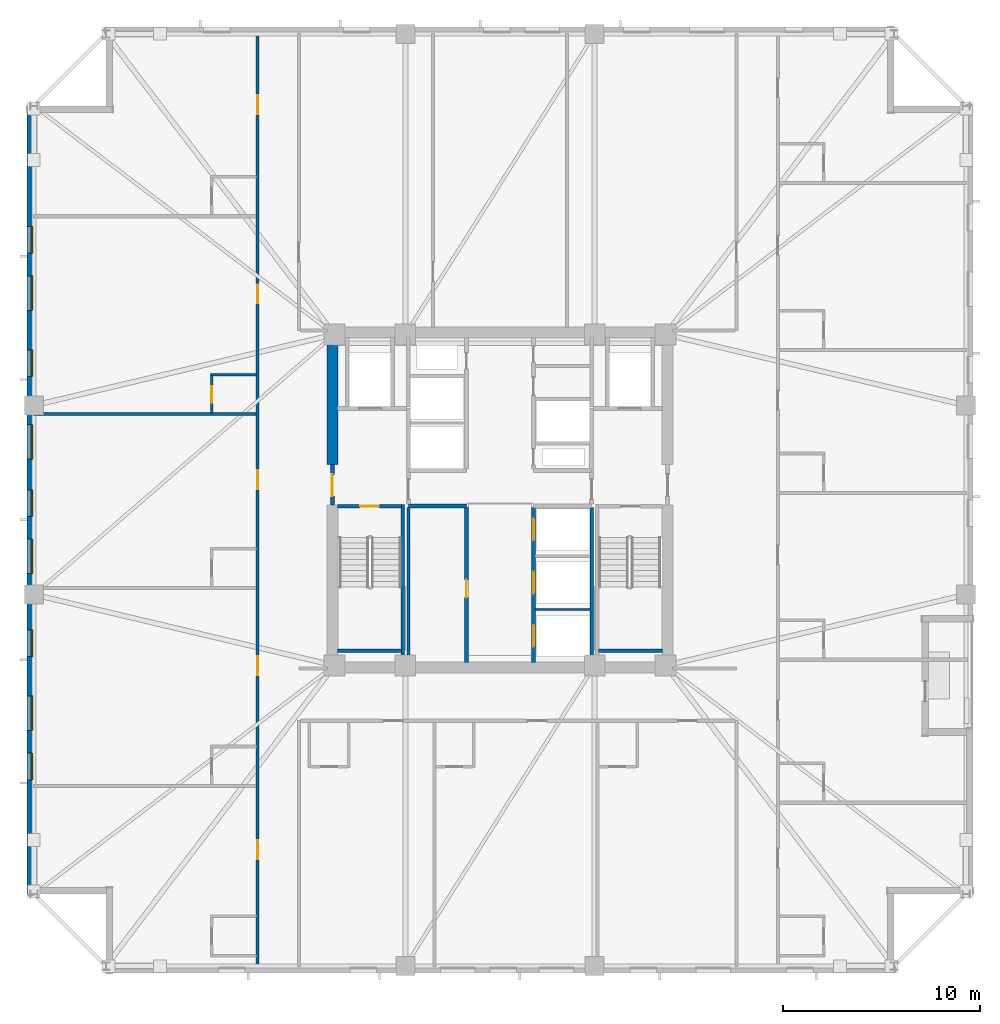
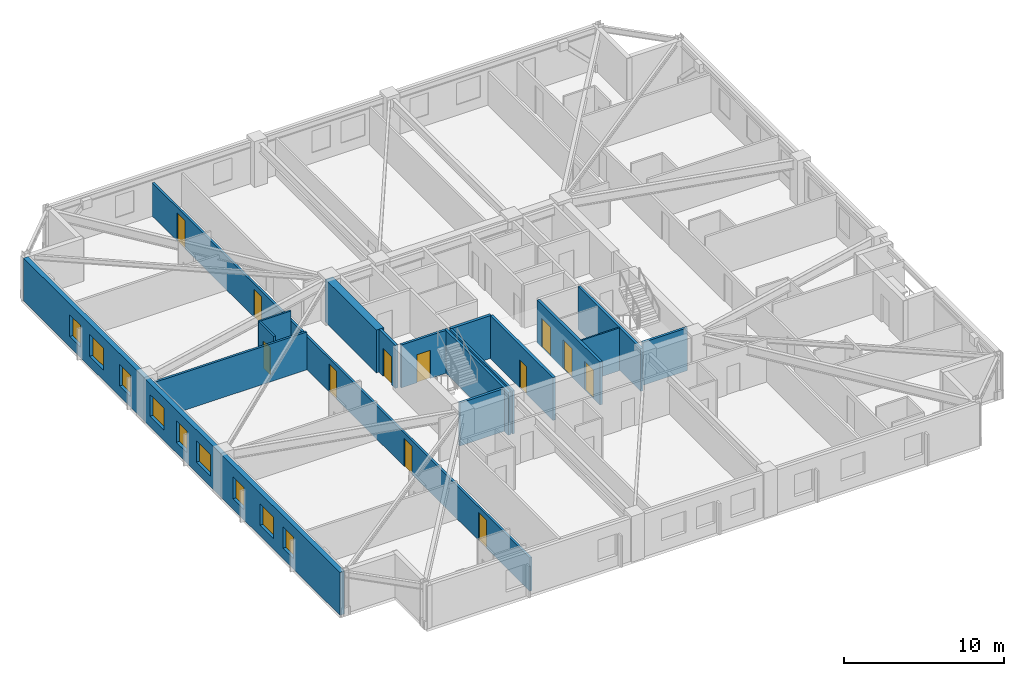
# One storey, part 3 of 11: 17 walls, 12 doors, 9 windows, 21 openings.
"""IFC4 building model written with IfcOpenShell, lengths in metres."""

from ifc_helpers import new_model, si_unit, direction, frame, frame_2d, origin, place, context, subcontext, project, spatial, rectangle, extrude, material, layer, layer_set, type_object, element, fill, save


model = new_model("IFC4")

# Units and contexts
model_context = context("Model", 3, precision=1e-05, world=origin(), true_north=direction((0.0, 1.0)))
body_context = subcontext(model_context, "Body", "Model", "MODEL_VIEW")
ifc_project = project(units=[si_unit("LENGTHUNIT", "METRE"), si_unit("AREAUNIT", "SQUARE_METRE"), si_unit("VOLUMEUNIT", "CUBIC_METRE"), si_unit("PLANEANGLEUNIT", "RADIAN"), si_unit("MASSUNIT", "GRAM", prefix="KILO")], contexts=[model_context])

# Site, building, storey
site_placement = place(None, origin())
site = spatial("IfcSite", under=ifc_project, at=site_placement, CompositionType="ELEMENT")
building_placement = place(site_placement, origin())
building = spatial("IfcBuilding", under=site, at=building_placement, Name="Cairnveth Concourse Tower", CompositionType="ELEMENT")
storey_placement = place(building_placement, frame((0.0, 0.0, 176.0)))
storey = spatial("IfcBuildingStorey", under=building, at=storey_placement, Name="L48", CompositionType="ELEMENT", Elevation=176.0)

# Wall
ifc_material_1 = material(Name="Gypsum Plasterboard Partition", Category="gypsum")
ifc_layer_1 = layer(ifc_material_1, 0.159912109375)
ifc_layer_set_1 = layer_set([ifc_layer_1], Name="Gypsum Plasterboard Partition")
wall_type_1 = type_object("IfcWallType", Name="ACOUSTIC PARTY WALL 180", PredefinedType="PARTITIONING", material=ifc_layer_set_1)
wall_1_placement = place(storey_placement, frame((47.35009765625, 30.760009765625, 0.0), z_axis=(0.0, 0.0, 1.0), x_axis=(0.0, 1.0, 0.0)))
element("IfcWall", 1, at=wall_1_placement, inside=storey, type_object=wall_type_1, Name="Interior Wall IW-L48-025", PredefinedType="PARTITIONING", context=body_context, shape_type="SweptSolid", body=[
    extrude(rectangle(XDim=7.85498046875, YDim=0.159912109375, at=frame_2d((3.927490234375, 0.0))), origin(), (0.0, 0.0, 1.0), 3.280029296875),
])

# Wall, openings, doors
wall_2_placement = place(storey_placement, frame((39.699951171875, 15.324951171875, 0.0), z_axis=(0.0, 0.0, 1.0), x_axis=(0.0, 1.0, 0.0)))
wall_2 = element("IfcWall", 2, at=wall_2_placement, inside=storey, type_object=wall_type_1, Name="Interior Wall IW-L48-036", PredefinedType="PARTITIONING", context=body_context, shape_type="SweptSolid", body=[
    extrude(rectangle(XDim=47.35009765625, YDim=0.159912109375, at=frame_2d((23.675048828125, 0.0))), origin(), (0.0, 0.0, 1.0), 2.554931640625),
])
opening_1_placement = place(wall_2_placement, frame((5.451416015625, 0.0, 0.0)))
opening_1 = element("IfcOpeningElement", 3, at=opening_1_placement, cuts=wall_2, Name="Opening ID09", PredefinedType="OPENING", context=body_context, shape_type="SweptSolid", body=[
    extrude(rectangle(XDim=0.9599609375, YDim=2.14990234375, at=frame_2d((0.47998046875, 1.074951171875))), frame((0.0, 0.08984375, 0.0), z_axis=(0.0, -1.0, 0.0), x_axis=(1.0, 0.0, 0.0)), (0.0, 0.0, 1.0), 0.179931640625),
])
opening_2_placement = place(wall_2_placement, frame((14.78271484375, 0.0, 0.0)))
opening_2 = element("IfcOpeningElement", 4, at=opening_2_placement, cuts=wall_2, Name="Opening ID09", PredefinedType="OPENING", context=body_context, shape_type="SweptSolid", body=[
    extrude(rectangle(XDim=0.9599609375, YDim=2.14990234375, at=frame_2d((0.47998046875, 1.074951171875))), frame((0.0, 0.08984375, 0.0), z_axis=(0.0, -1.0, 0.0), x_axis=(1.0, 0.0, 0.0)), (0.0, 0.0, 1.0), 0.179931640625),
])
opening_3_placement = place(wall_2_placement, frame((24.21484375, 0.0, 0.0)))
opening_3 = element("IfcOpeningElement", 5, at=opening_3_placement, cuts=wall_2, Name="Opening ID09", PredefinedType="OPENING", context=body_context, shape_type="SweptSolid", body=[
    extrude(rectangle(XDim=0.9599609375, YDim=2.14990234375, at=frame_2d((0.47998046875, 1.074951171875))), frame((0.0, 0.08984375, 0.0), z_axis=(0.0, -1.0, 0.0), x_axis=(1.0, 0.0, 0.0)), (0.0, 0.0, 1.0), 0.179931640625),
])
opening_4_placement = place(wall_2_placement, frame((33.646728515625, 0.0, 0.0)))
opening_4 = element("IfcOpeningElement", 6, at=opening_4_placement, cuts=wall_2, Name="Opening ID09", PredefinedType="OPENING", context=body_context, shape_type="SweptSolid", body=[
    extrude(rectangle(XDim=0.9599609375, YDim=2.14990234375, at=frame_2d((0.47998046875, 1.074951171875))), frame((0.0, 0.08984375, 0.0), z_axis=(0.0, -1.0, 0.0), x_axis=(1.0, 0.0, 0.0)), (0.0, 0.0, 1.0), 0.179931640625),
])
opening_5_placement = place(wall_2_placement, frame((43.25830078125, 0.0, 0.0)))
opening_5 = element("IfcOpeningElement", 7, at=opening_5_placement, cuts=wall_2, Name="Opening ID09", PredefinedType="OPENING", context=body_context, shape_type="SweptSolid", body=[
    extrude(rectangle(XDim=0.9599609375, YDim=2.14990234375, at=frame_2d((0.47998046875, 1.074951171875))), frame((0.0, 0.08984375, 0.0), z_axis=(0.0, -1.0, 0.0), x_axis=(1.0, 0.0, 0.0)), (0.0, 0.0, 1.0), 0.179931640625),
])
ifc_material_2 = material(Name="Solid Core Hardwood Timber Leaf", Category="wood")
door_type_1 = type_object("IfcDoorType", Name="HOTEL ENTRANCE DOOR 960X2150", OperationType="NOTDEFINED", PredefinedType="DOOR", material=ifc_material_2)
door_1_placement = place(opening_1_placement, origin())
door_1 = element("IfcDoor", 8, at=door_1_placement, inside=storey, type_object=door_type_1, Name="Hotel Room Door L48-W1", OperationType="SINGLE_SWING_LEFT", OverallHeight=2.14990234375, OverallWidth=0.9599609375, PredefinedType="DOOR", context=body_context, shape_type="SweptSolid", body=[
    extrude(rectangle(XDim=0.9599609375, YDim=2.14990234375, at=frame_2d((0.47998046875, 1.074951171875))), frame((0.0, 0.02490234375, 0.0), z_axis=(0.0, -1.0, 0.0), x_axis=(1.0, 0.0, 0.0)), (0.0, 0.0, 1.0), 0.050048828125),
])
fill(opening_1, door_1)
door_2_placement = place(opening_2_placement, origin())
door_2 = element("IfcDoor", 9, at=door_2_placement, inside=storey, type_object=door_type_1, Name="Hotel Room Door L48-W2", OperationType="SINGLE_SWING_LEFT", OverallHeight=2.14990234375, OverallWidth=0.9599609375, PredefinedType="DOOR", context=body_context, shape_type="SweptSolid", body=[
    extrude(rectangle(XDim=0.9599609375, YDim=2.14990234375, at=frame_2d((0.47998046875, 1.074951171875))), frame((0.0, 0.02490234375, 0.0), z_axis=(0.0, -1.0, 0.0), x_axis=(1.0, 0.0, 0.0)), (0.0, 0.0, 1.0), 0.050048828125),
])
fill(opening_2, door_2)
door_3_placement = place(opening_3_placement, origin())
door_3 = element("IfcDoor", 10, at=door_3_placement, inside=storey, type_object=door_type_1, Name="Hotel Room Door L48-W3", OperationType="SINGLE_SWING_LEFT", OverallHeight=2.14990234375, OverallWidth=0.9599609375, PredefinedType="DOOR", context=body_context, shape_type="SweptSolid", body=[
    extrude(rectangle(XDim=0.9599609375, YDim=2.14990234375, at=frame_2d((0.47998046875, 1.074951171875))), frame((0.0, 0.02490234375, 0.0), z_axis=(0.0, -1.0, 0.0), x_axis=(1.0, 0.0, 0.0)), (0.0, 0.0, 1.0), 0.050048828125),
])
fill(opening_3, door_3)
door_4_placement = place(opening_4_placement, origin())
door_4 = element("IfcDoor", 11, at=door_4_placement, inside=storey, type_object=door_type_1, Name="Hotel Room Door L48-W4", OperationType="SINGLE_SWING_LEFT", OverallHeight=2.14990234375, OverallWidth=0.9599609375, PredefinedType="DOOR", context=body_context, shape_type="SweptSolid", body=[
    extrude(rectangle(XDim=0.9599609375, YDim=2.14990234375, at=frame_2d((0.47998046875, 1.074951171875))), frame((0.0, 0.02490234375, 0.0), z_axis=(0.0, -1.0, 0.0), x_axis=(1.0, 0.0, 0.0)), (0.0, 0.0, 1.0), 0.050048828125),
])
fill(opening_4, door_4)
door_5_placement = place(opening_5_placement, origin())
door_5 = element("IfcDoor", 12, at=door_5_placement, inside=storey, type_object=door_type_1, Name="Hotel Room Door L48-W5", OperationType="SINGLE_SWING_LEFT", OverallHeight=2.14990234375, OverallWidth=0.9599609375, PredefinedType="DOOR", context=body_context, shape_type="SweptSolid", body=[
    extrude(rectangle(XDim=0.9599609375, YDim=2.14990234375, at=frame_2d((0.47998046875, 1.074951171875))), frame((0.0, 0.02490234375, 0.0), z_axis=(0.0, -1.0, 0.0), x_axis=(1.0, 0.0, 0.0)), (0.0, 0.0, 1.0), 0.050048828125),
])
fill(opening_5, door_5)

# Walls
wall_3_placement = place(storey_placement, frame((28.324951171875, 43.35693359375, 0.0), z_axis=(0.0, 0.0, 1.0), x_axis=(1.0, 0.0, 0.0)))
element("IfcWall", 13, at=wall_3_placement, inside=storey, type_object=wall_type_1, Name="Interior Wall IW-L48-067", PredefinedType="PARTITIONING", context=body_context, shape_type="SweptSolid", body=[
    extrude(rectangle(XDim=11.295166015625, YDim=0.159912109375, at=frame_2d((5.6474609375, 0.0))), origin(), (0.0, 0.0, 1.0), 2.89599609375),
])
ifc_material_3 = material(Name="Concrete N80 (80 MPa)", Category="concrete")
ifc_layer_2 = layer(ifc_material_3, 0.550048828125)
ifc_layer_set_2 = layer_set([ifc_layer_2], Name="Concrete N80 (80 MPa)")
wall_type_2 = type_object("IfcWallType", Name="CORE SHEAR WALL 550", PredefinedType="SHEAR", material=ifc_layer_set_2)
wall_4_placement = place(storey_placement, frame((43.5, 40.800048828125, 0.0), z_axis=(0.0, 0.0, 1.0), x_axis=(0.0, 1.0, 0.0)))
element("IfcWall", 14, at=wall_4_placement, inside=storey, type_object=wall_type_2, Name="Core West Shear Wall N L48", PredefinedType="SHEAR", context=body_context, shape_type="SweptSolid", body=[
    extrude(rectangle(XDim=6.43505859375, YDim=0.550048828125, at=frame_2d((3.217529296875, 0.0))), origin(), (0.0, 0.0, 1.0), 3.280029296875),
])
ifc_material_4 = material(Name="Concrete N50 (50 MPa)", Category="concrete")
ifc_layer_3 = layer(ifc_material_4, 0.179931640625)
ifc_layer_set_3 = layer_set([ifc_layer_3], Name="Concrete N50 (50 MPa)")
wall_type_3 = type_object("IfcWallType", Name="FIRE SHAFT WALL 180", PredefinedType="SOLIDWALL", material=ifc_layer_set_3)
wall_5_placement = place(storey_placement, frame((56.64990234375, 30.760009765625, 0.0), z_axis=(0.0, 0.0, 1.0), x_axis=(0.0, 1.0, 0.0)))
element("IfcWall", 15, at=wall_5_placement, inside=storey, type_object=wall_type_3, Name="Interior Wall IW-L48-026", PredefinedType="SOLIDWALL", context=body_context, shape_type="SweptSolid", body=[
    extrude(rectangle(XDim=7.85498046875, YDim=0.179931640625, at=frame_2d((3.927490234375, 0.0))), origin(), (0.0, 0.0, 1.0), 3.280029296875),
])

# Wall, opening, door
wall_6_placement = place(storey_placement, frame((43.764892578125, 38.68994140625, 0.0), z_axis=(0.0, 0.0, 1.0), x_axis=(1.0, 0.0, 0.0)))
wall_6 = element("IfcWall", 16, at=wall_6_placement, inside=storey, type_object=wall_type_3, Name="Stair ST-1 Shaft Wall NEAR L48", PredefinedType="SOLIDWALL", context=body_context, shape_type="SweptSolid", body=[
    extrude(rectangle(XDim=3.230224609375, YDim=0.179931640625, at=frame_2d((1.615234375, 0.0))), origin(), (0.0, 0.0, 1.0), 3.280029296875),
])
opening_6_placement = place(wall_6_placement, frame((1.139892578125, 0.0, 0.0)))
opening_6 = element("IfcOpeningElement", 17, at=opening_6_placement, cuts=wall_6, Name="Opening ID12", PredefinedType="OPENING", context=body_context, shape_type="SweptSolid", body=[
    extrude(rectangle(XDim=0.949951171875, YDim=2.14990234375, at=frame_2d((0.47509765625, 1.074951171875))), frame((0.0, 0.099853515625, 0.0), z_axis=(0.0, -1.0, 0.0), x_axis=(1.0, 0.0, 0.0)), (0.0, 0.0, 1.0), 0.199951171875),
])
ifc_material_5 = material(Name="Steel Grade 350", Category="steel")
door_type_2 = type_object("IfcDoorType", Name="FIRE STAIR DOOR 950X2150", OperationType="NOTDEFINED", PredefinedType="DOOR", material=ifc_material_5)
door_6_placement = place(opening_6_placement, origin())
door_6 = element("IfcDoor", 18, at=door_6_placement, inside=storey, type_object=door_type_2, Name="Stair ST-1 Fire Door L48", OperationType="SINGLE_SWING_LEFT", OverallHeight=2.14990234375, OverallWidth=0.949951171875, PredefinedType="DOOR", context=body_context, shape_type="SweptSolid", body=[
    extrude(rectangle(XDim=0.949951171875, YDim=2.14990234375, at=frame_2d((0.47509765625, 1.074951171875))), frame((0.0, 0.02490234375, 0.0), z_axis=(0.0, -1.0, 0.0), x_axis=(1.0, 0.0, 0.0)), (0.0, 0.0, 1.0), 0.050048828125),
])
fill(opening_6, door_6)

# Walls
wall_7_placement = place(storey_placement, frame((43.764892578125, 31.360107421875, 0.0), z_axis=(0.0, 0.0, 1.0), x_axis=(1.0, 0.0, 0.0)))
element("IfcWall", 19, at=wall_7_placement, inside=storey, type_object=wall_type_3, Name="Stair ST-1 Shaft Wall FAR L48", PredefinedType="SOLIDWALL", context=body_context, shape_type="SweptSolid", body=[
    extrude(rectangle(XDim=3.230224609375, YDim=0.179931640625, at=frame_2d((1.615234375, 0.0))), origin(), (0.0, 0.0, 1.0), 3.280029296875),
])
wall_8_placement = place(storey_placement, frame((47.070068359375, 38.780029296875, 0.0), z_axis=(0.0, 0.0, 1.0), x_axis=(0.0, -1.0, 0.0)))
element("IfcWall", 20, at=wall_8_placement, inside=storey, type_object=wall_type_3, Name="Stair ST-1 Shaft Wall RGHT L48", PredefinedType="SOLIDWALL", context=body_context, shape_type="SweptSolid", body=[
    extrude(rectangle(XDim=8.01708984375, YDim=0.179931640625, at=frame_2d((4.008544921875, 0.0))), origin(), (0.0, 0.0, 1.0), 3.280029296875),
])
wall_9_placement = place(storey_placement, frame((57.0048828125, 31.360107421875, 0.0), z_axis=(0.0, 0.0, 1.0), x_axis=(1.0, 0.0, 0.0)))
element("IfcWall", 21, at=wall_9_placement, inside=storey, type_object=wall_type_3, Name="Stair ST-2 Shaft Wall FAR L48", PredefinedType="SOLIDWALL", context=body_context, shape_type="SweptSolid", body=[
    extrude(rectangle(XDim=3.230224609375, YDim=0.179931640625, at=frame_2d((1.615234375, 0.0))), origin(), (0.0, 0.0, 1.0), 3.280029296875),
])
ifc_layer_4 = layer(ifc_material_4, 0.199951171875)
ifc_layer_set_4 = layer_set([ifc_layer_4], Name="Concrete N50 (50 MPa)")
wall_type_4 = type_object("IfcWallType", Name="FIRE SHAFT WALL 200", PredefinedType="SOLIDWALL", material=ifc_layer_set_4)
wall_10_placement = place(storey_placement, frame((47.35009765625, 38.699951171875, 0.0), z_axis=(0.0, 0.0, 1.0), x_axis=(1.0, 0.0, 0.0)))
element("IfcWall", 22, at=wall_10_placement, inside=storey, type_object=wall_type_4, Name="Interior Wall IW-L48-007", PredefinedType="SOLIDWALL", context=body_context, shape_type="SweptSolid", body=[
    extrude(rectangle(XDim=2.949951171875, YDim=0.199951171875, at=frame_2d((1.47509765625, 0.0))), origin(), (0.0, 0.0, 1.0), 3.280029296875),
])

# Wall, opening, door
wall_11_placement = place(storey_placement, frame((50.300048828125, 30.760009765625, 0.0), z_axis=(0.0, 0.0, 1.0), x_axis=(0.0, 1.0, 0.0)))
wall_11 = element("IfcWall", 23, at=wall_11_placement, inside=storey, type_object=wall_type_4, Name="Interior Wall IW-L48-011", PredefinedType="SOLIDWALL", context=body_context, shape_type="SweptSolid", body=[
    extrude(rectangle(XDim=7.85498046875, YDim=0.199951171875, at=frame_2d((3.927490234375, 0.0))), origin(), (0.0, 0.0, 1.0), 3.280029296875),
])
opening_7_placement = place(wall_11_placement, frame((3.2900390625, 0.0, 0.0)))
opening_7 = element("IfcOpeningElement", 24, at=opening_7_placement, cuts=wall_11, Name="Opening ID16", PredefinedType="OPENING", context=body_context, shape_type="SweptSolid", body=[
    extrude(rectangle(XDim=0.89990234375, YDim=2.1201171875, at=frame_2d((0.449951171875, 1.06005859375))), frame((0.0, 0.10986328125, 0.0), z_axis=(0.0, -1.0, 0.0), x_axis=(1.0, 0.0, 0.0)), (0.0, 0.0, 1.0), 0.219970703125),
])
door_type_3 = type_object("IfcDoorType", Name="CORE SERVICE DOOR 900X2100", OperationType="NOTDEFINED", PredefinedType="DOOR", material=ifc_material_5)
door_7_placement = place(opening_7_placement, origin())
door_7 = element("IfcDoor", 25, at=door_7_placement, inside=storey, type_object=door_type_3, Name="Linen Pantry Suite Door L48", OperationType="SINGLE_SWING_LEFT", OverallHeight=2.1201171875, OverallWidth=0.89990234375, PredefinedType="DOOR", context=body_context, shape_type="SweptSolid", body=[
    extrude(rectangle(XDim=0.89990234375, YDim=2.1201171875, at=frame_2d((0.449951171875, 1.06005859375))), frame((0.0, 0.02490234375, 0.0), z_axis=(0.0, -1.0, 0.0), x_axis=(1.0, 0.0, 0.0)), (0.0, 0.0, 1.0), 0.050048828125),
])
fill(opening_7, door_7)

# Wall, openings, doors
wall_12_placement = place(storey_placement, frame((53.699951171875, 30.760009765625, 0.0), z_axis=(0.0, 0.0, 1.0), x_axis=(0.0, 1.0, 0.0)))
wall_12 = element("IfcWall", 26, at=wall_12_placement, inside=storey, type_object=wall_type_4, Name="Interior Wall IW-L48-012", PredefinedType="SOLIDWALL", context=body_context, shape_type="SweptSolid", body=[
    extrude(rectangle(XDim=7.85498046875, YDim=0.199951171875, at=frame_2d((3.927490234375, 0.0))), origin(), (0.0, 0.0, 1.0), 3.280029296875),
])
opening_8_placement = place(wall_12_placement, frame((0.7900390625, 0.0, 0.0)))
opening_8 = element("IfcOpeningElement", 27, at=opening_8_placement, cuts=wall_12, Name="Opening LD-1", PredefinedType="OPENING", context=body_context, shape_type="SweptSolid", body=[
    extrude(rectangle(XDim=1.10009765625, YDim=2.199951171875, at=frame_2d((0.550048828125, 1.10009765625))), frame((0.0, 0.10986328125, 0.0), z_axis=(0.0, -1.0, 0.0), x_axis=(1.0, 0.0, 0.0)), (0.0, 0.0, 1.0), 0.219970703125),
])
opening_9_placement = place(wall_12_placement, frame((3.489990234375, 0.0, 0.0)))
opening_9 = element("IfcOpeningElement", 28, at=opening_9_placement, cuts=wall_12, Name="Opening LD-1", PredefinedType="OPENING", context=body_context, shape_type="SweptSolid", body=[
    extrude(rectangle(XDim=1.10009765625, YDim=2.199951171875, at=frame_2d((0.550048828125, 1.10009765625))), frame((0.0, 0.10986328125, 0.0), z_axis=(0.0, -1.0, 0.0), x_axis=(1.0, 0.0, 0.0)), (0.0, 0.0, 1.0), 0.219970703125),
])
opening_10_placement = place(wall_12_placement, frame((6.18994140625, 0.0, 0.0)))
opening_10 = element("IfcOpeningElement", 29, at=opening_10_placement, cuts=wall_12, Name="Opening LD-1", PredefinedType="OPENING", context=body_context, shape_type="SweptSolid", body=[
    extrude(rectangle(XDim=1.10009765625, YDim=2.199951171875, at=frame_2d((0.550048828125, 1.10009765625))), frame((0.0, 0.10986328125, 0.0), z_axis=(0.0, -1.0, 0.0), x_axis=(1.0, 0.0, 0.0)), (0.0, 0.0, 1.0), 0.219970703125),
])
ifc_material_6 = material(Name="Architectural Bronze Anodised Aluminium 6063-T6", Category="aluminium")
door_type_4 = type_object("IfcDoorType", Name="LIFT LANDING DOOR 1100X2200", OperationType="SLIDING_TO_LEFT", PredefinedType="DOOR", material=ifc_material_6)
door_8_placement = place(opening_8_placement, origin())
door_8 = element("IfcDoor", 30, at=door_8_placement, inside=storey, type_object=door_type_4, Name="Lift PL4 Landing Door L48", OperationType="SLIDING_TO_LEFT", OverallHeight=2.199951171875, OverallWidth=1.10009765625, PredefinedType="DOOR", context=body_context, shape_type="SweptSolid", body=[
    extrude(rectangle(XDim=1.10009765625, YDim=2.199951171875, at=frame_2d((0.550048828125, 1.10009765625))), frame((0.0, 0.02490234375, 0.0), z_axis=(0.0, -1.0, 0.0), x_axis=(1.0, 0.0, 0.0)), (0.0, 0.0, 1.0), 0.050048828125),
])
fill(opening_8, door_8)
door_9_placement = place(opening_9_placement, origin())
door_9 = element("IfcDoor", 31, at=door_9_placement, inside=storey, type_object=door_type_4, Name="Lift PL5 Landing Door L48", OperationType="SLIDING_TO_LEFT", OverallHeight=2.199951171875, OverallWidth=1.10009765625, PredefinedType="DOOR", context=body_context, shape_type="SweptSolid", body=[
    extrude(rectangle(XDim=1.10009765625, YDim=2.199951171875, at=frame_2d((0.550048828125, 1.10009765625))), frame((0.0, 0.02490234375, 0.0), z_axis=(0.0, -1.0, 0.0), x_axis=(1.0, 0.0, 0.0)), (0.0, 0.0, 1.0), 0.050048828125),
])
fill(opening_9, door_9)
door_10_placement = place(opening_10_placement, origin())
door_10 = element("IfcDoor", 32, at=door_10_placement, inside=storey, type_object=door_type_4, Name="Lift PL6 Landing Door L48", OperationType="SLIDING_TO_LEFT", OverallHeight=2.199951171875, OverallWidth=1.10009765625, PredefinedType="DOOR", context=body_context, shape_type="SweptSolid", body=[
    extrude(rectangle(XDim=1.10009765625, YDim=2.199951171875, at=frame_2d((0.550048828125, 1.10009765625))), frame((0.0, 0.02490234375, 0.0), z_axis=(0.0, -1.0, 0.0), x_axis=(1.0, 0.0, 0.0)), (0.0, 0.0, 1.0), 0.050048828125),
])
fill(opening_10, door_10)

# Wall, opening, door
wall_13_placement = place(storey_placement, frame((43.5, 38.75, 0.0), z_axis=(0.0, 0.0, 1.0), x_axis=(0.0, 1.0, 0.0)))
wall_13 = element("IfcWall", 33, at=wall_13_placement, inside=storey, type_object=wall_type_4, Name="Interior Wall IW-L48-015", PredefinedType="SOLIDWALL", context=body_context, shape_type="SweptSolid", body=[
    extrude(rectangle(XDim=2.050048828125, YDim=0.199951171875, at=frame_2d((1.02490234375, 0.0))), origin(), (0.0, 0.0, 1.0), 3.280029296875),
])
opening_11_placement = place(wall_13_placement, frame((0.449951171875, 0.0, 0.0)))
opening_11 = element("IfcOpeningElement", 34, at=opening_11_placement, cuts=wall_13, Name="Opening ID06", PredefinedType="OPENING", context=body_context, shape_type="SweptSolid", body=[
    extrude(rectangle(XDim=1.10009765625, YDim=2.14990234375, at=frame_2d((0.550048828125, 1.074951171875))), frame((0.0, 0.10986328125, 0.0), z_axis=(0.0, -1.0, 0.0), x_axis=(1.0, 0.0, 0.0)), (0.0, 0.0, 1.0), 0.219970703125),
])
door_type_5 = type_object("IfcDoorType", Name="FIRE CORRIDOR DOOR 1100X2150", OperationType="NOTDEFINED", PredefinedType="DOOR", material=ifc_material_5)
door_11_placement = place(opening_11_placement, origin())
door_11 = element("IfcDoor", 35, at=door_11_placement, inside=storey, type_object=door_type_5, Name="West Wing to FF Lobby Door L48", OperationType="SINGLE_SWING_LEFT", OverallHeight=2.14990234375, OverallWidth=1.10009765625, PredefinedType="DOOR", context=body_context, shape_type="SweptSolid", body=[
    extrude(rectangle(XDim=1.10009765625, YDim=2.14990234375, at=frame_2d((0.550048828125, 1.074951171875))), frame((0.0, 0.02490234375, 0.0), z_axis=(0.0, -1.0, 0.0), x_axis=(1.0, 0.0, 0.0)), (0.0, 0.0, 1.0), 0.050048828125),
])
fill(opening_11, door_11)

# Walls
ifc_layer_5 = layer(ifc_material_1, 0.110107421875)
ifc_layer_set_5 = layer_set([ifc_layer_5], Name="Gypsum Plasterboard Partition")
wall_type_5 = type_object("IfcWallType", Name="SHAFT DIVIDER WALL 140", PredefinedType="PARTITIONING", material=ifc_layer_set_5)
wall_14_placement = place(storey_placement, frame((53.784912109375, 33.449951171875, 0.0), z_axis=(0.0, 0.0, 1.0), x_axis=(1.0, 0.0, 0.0)))
element("IfcWall", 36, at=wall_14_placement, inside=storey, type_object=wall_type_5, Name="Interior Wall IW-L48-027", PredefinedType="PARTITIONING", context=body_context, shape_type="SweptSolid", body=[
    extrude(rectangle(XDim=2.7900390625, YDim=0.110107421875, at=frame_2d((1.39501953125, 0.0))), origin(), (0.0, 0.0, 1.0), 3.280029296875),
])
ifc_layer_6 = layer(ifc_material_1, 0.1298828125)
ifc_layer_set_6 = layer_set([ifc_layer_6], Name="Gypsum Plasterboard Partition")
wall_type_6 = type_object("IfcWallType", Name="WET AREA PARTITION 140", PredefinedType="PLUMBINGWALL", material=ifc_layer_set_6)
wall_15_placement = place(storey_placement, frame((37.320068359375, 45.35693359375, 0.0), z_axis=(0.0, 0.0, 1.0), x_axis=(1.0, 0.0, 0.0)))
element("IfcWall", 37, at=wall_15_placement, inside=storey, type_object=wall_type_6, Name="Interior Wall IW-L48-068", PredefinedType="PLUMBINGWALL", context=body_context, shape_type="SweptSolid", body=[
    extrude(rectangle(XDim=2.31494140625, YDim=0.1298828125, at=frame_2d((1.157470703125, 0.0))), origin(), (0.0, 0.0, 1.0), 3.280029296875),
])

# Wall, opening, door
wall_16_placement = place(storey_placement, frame((37.3701171875, 43.421875, 0.0), z_axis=(0.0, 0.0, 1.0), x_axis=(0.0, 1.0, 0.0)))
wall_16 = element("IfcWall", 38, at=wall_16_placement, inside=storey, type_object=wall_type_6, Name="Interior Wall IW-L48-069", PredefinedType="PLUMBINGWALL", context=body_context, shape_type="SweptSolid", body=[
    extrude(rectangle(XDim=1.885009765625, YDim=0.1298828125, at=frame_2d((0.9423828125, 0.0))), origin(), (0.0, 0.0, 1.0), 3.280029296875),
])
opening_12_placement = place(wall_16_placement, frame((0.52490234375, 0.0, 0.0)))
opening_12 = element("IfcOpeningElement", 39, at=opening_12_placement, cuts=wall_16, Name="Opening ID22", PredefinedType="OPENING", context=body_context, shape_type="SweptSolid", body=[
    extrude(rectangle(XDim=0.820068359375, YDim=2.10009765625, at=frame_2d((0.41015625, 1.050048828125))), frame((0.0, 0.074951171875, 0.0), z_axis=(0.0, -1.0, 0.0), x_axis=(1.0, 0.0, 0.0)), (0.0, 0.0, 1.0), 0.14990234375),
])
door_type_6 = type_object("IfcDoorType", Name="INTERIOR WC DOOR 820X2100", OperationType="NOTDEFINED", PredefinedType="DOOR", material=ifc_material_2)
door_12_placement = place(opening_12_placement, origin())
door_12 = element("IfcDoor", 40, at=door_12_placement, inside=storey, type_object=door_type_6, Name="En-Suite Door L48-W4", OperationType="SINGLE_SWING_RIGHT", OverallHeight=2.10009765625, OverallWidth=0.820068359375, PredefinedType="DOOR", context=body_context, shape_type="SweptSolid", body=[
    extrude(rectangle(XDim=0.820068359375, YDim=2.10009765625, at=frame_2d((0.41015625, 1.050048828125))), frame((0.0, 0.02490234375, 0.0), z_axis=(0.0, -1.0, 0.0), x_axis=(1.0, 0.0, 0.0)), (0.0, 0.0, 1.0), 0.050048828125),
])
fill(opening_12, door_12)

# Wall, openings, windows
ifc_material_7 = material(Name="Hawthorn Red-Ochre Fired Clay Brick Masonry", Category="masonry")
ifc_layer_7 = layer(ifc_material_7, 0.340087890625)
ifc_layer_set_7 = layer_set([ifc_layer_7], Name="Hawthorn Red-Ochre Fired Clay Brick Masonry")
wall_type_7 = type_object("IfcWallType", Name="ZONE 2 BRICK PIER SPANDREL WALL 340", PredefinedType="SOLIDWALL", material=ifc_layer_set_7)
wall_17_placement = place(storey_placement, frame((28.169921875, 19.0, 0.0), z_axis=(0.0, 0.0, 1.0), x_axis=(0.0, 1.0, 0.0)))
wall_17 = element("IfcWall", 41, at=wall_17_placement, inside=storey, type_object=wall_type_7, Name="Exterior Wall EW-L48-S06", PredefinedType="SOLIDWALL", context=body_context, shape_type="SweptSolid", body=[
    extrude(rectangle(XDim=39.681884765625, YDim=0.340087890625, at=frame_2d((19.8408203125, 0.0))), origin(), (0.0, 0.0, 1.0), 3.280029296875),
])
opening_13_placement = place(wall_17_placement, frame((5.8017578125, 0.0, 0.800048828125)))
opening_13 = element("IfcOpeningElement", 42, at=opening_13_placement, cuts=wall_17, Name="Opening W02", PredefinedType="OPENING", context=body_context, shape_type="SweptSolid", body=[
    extrude(rectangle(XDim=1.35009765625, YDim=1.659912109375, at=frame_2d((0.675048828125, 0.830078125))), frame((0.0, 0.179931640625, 0.0), z_axis=(0.0, -1.0, 0.0), x_axis=(1.0, 0.0, 0.0)), (0.0, 0.0, 1.0), 0.360107421875),
])
opening_14_placement = place(wall_17_placement, frame((8.305419921875, 0.0, 0.800048828125)))
opening_14 = element("IfcOpeningElement", 43, at=opening_14_placement, cuts=wall_17, Name="Opening W06", PredefinedType="OPENING", context=body_context, shape_type="SweptSolid", body=[
    extrude(rectangle(XDim=1.75, YDim=1.659912109375, at=frame_2d((0.875, 0.830078125))), frame((0.0, 0.179931640625, 0.0), z_axis=(0.0, -1.0, 0.0), x_axis=(1.0, 0.0, 0.0)), (0.0, 0.0, 1.0), 0.360107421875),
])
opening_15_placement = place(wall_17_placement, frame((12.058837890625, 0.0, 0.800048828125)))
opening_15 = element("IfcOpeningElement", 44, at=opening_15_placement, cuts=wall_17, Name="Opening W02", PredefinedType="OPENING", context=body_context, shape_type="SweptSolid", body=[
    extrude(rectangle(XDim=1.35009765625, YDim=1.659912109375, at=frame_2d((0.675048828125, 0.830078125))), frame((0.0, 0.179931640625, 0.0), z_axis=(0.0, -1.0, 0.0), x_axis=(1.0, 0.0, 0.0)), (0.0, 0.0, 1.0), 0.360107421875),
])
opening_16_placement = place(wall_17_placement, frame((16.262451171875, 0.0, 0.800048828125)))
opening_16 = element("IfcOpeningElement", 45, at=opening_16_placement, cuts=wall_17, Name="Opening W06", PredefinedType="OPENING", context=body_context, shape_type="SweptSolid", body=[
    extrude(rectangle(XDim=1.75, YDim=1.659912109375, at=frame_2d((0.875, 0.830078125))), frame((0.0, 0.179931640625, 0.0), z_axis=(0.0, -1.0, 0.0), x_axis=(1.0, 0.0, 0.0)), (0.0, 0.0, 1.0), 0.360107421875),
])
opening_17_placement = place(wall_17_placement, frame((19.166015625, 0.0, 0.800048828125)))
opening_17 = element("IfcOpeningElement", 46, at=opening_17_placement, cuts=wall_17, Name="Opening W02", PredefinedType="OPENING", context=body_context, shape_type="SweptSolid", body=[
    extrude(rectangle(XDim=1.35009765625, YDim=1.659912109375, at=frame_2d((0.675048828125, 0.830078125))), frame((0.0, 0.179931640625, 0.0), z_axis=(0.0, -1.0, 0.0), x_axis=(1.0, 0.0, 0.0)), (0.0, 0.0, 1.0), 0.360107421875),
])
opening_18_placement = place(wall_17_placement, frame((22.069580078125, 0.0, 0.800048828125)))
opening_18 = element("IfcOpeningElement", 47, at=opening_18_placement, cuts=wall_17, Name="Opening W06", PredefinedType="OPENING", context=body_context, shape_type="SweptSolid", body=[
    extrude(rectangle(XDim=1.75, YDim=1.659912109375, at=frame_2d((0.875, 0.830078125))), frame((0.0, 0.179931640625, 0.0), z_axis=(0.0, -1.0, 0.0), x_axis=(1.0, 0.0, 0.0)), (0.0, 0.0, 1.0), 0.360107421875),
])
opening_19_placement = place(wall_17_placement, frame((26.273193359375, 0.0, 0.800048828125)))
opening_19 = element("IfcOpeningElement", 48, at=opening_19_placement, cuts=wall_17, Name="Opening W02", PredefinedType="OPENING", context=body_context, shape_type="SweptSolid", body=[
    extrude(rectangle(XDim=1.35009765625, YDim=1.659912109375, at=frame_2d((0.675048828125, 0.830078125))), frame((0.0, 0.179931640625, 0.0), z_axis=(0.0, -1.0, 0.0), x_axis=(1.0, 0.0, 0.0)), (0.0, 0.0, 1.0), 0.360107421875),
])
opening_20_placement = place(wall_17_placement, frame((29.626708984375, 0.0, 0.800048828125)))
opening_20 = element("IfcOpeningElement", 49, at=opening_20_placement, cuts=wall_17, Name="Opening W06", PredefinedType="OPENING", context=body_context, shape_type="SweptSolid", body=[
    extrude(rectangle(XDim=1.75, YDim=1.659912109375, at=frame_2d((0.875, 0.830078125))), frame((0.0, 0.179931640625, 0.0), z_axis=(0.0, -1.0, 0.0), x_axis=(1.0, 0.0, 0.0)), (0.0, 0.0, 1.0), 0.360107421875),
])
opening_21_placement = place(wall_17_placement, frame((32.5302734375, 0.0, 0.800048828125)))
opening_21 = element("IfcOpeningElement", 50, at=opening_21_placement, cuts=wall_17, Name="Opening W02", PredefinedType="OPENING", context=body_context, shape_type="SweptSolid", body=[
    extrude(rectangle(XDim=1.35009765625, YDim=1.659912109375, at=frame_2d((0.675048828125, 0.830078125))), frame((0.0, 0.179931640625, 0.0), z_axis=(0.0, -1.0, 0.0), x_axis=(1.0, 0.0, 0.0)), (0.0, 0.0, 1.0), 0.360107421875),
])
ifc_material_8 = material(Name="Double Glazed Low-E Clear Glass", Category="glass")
window_type_1 = type_object("IfcWindowType", Name="DEEP-SET GOTHIC LANCET WINDOW 1350X1800", PartitioningType="DOUBLE_PANEL_VERTICAL", PredefinedType="WINDOW", material=ifc_material_8)
window_1_placement = place(opening_13_placement, origin())
window_1 = element("IfcWindow", 51, at=window_1_placement, inside=storey, type_object=window_type_1, Name="Gothic Lancet Window L48-6-1", OverallHeight=1.659912109375, OverallWidth=1.35009765625, PartitioningType="SINGLE_PANEL", PredefinedType="WINDOW", context=body_context, shape_type="SweptSolid", body=[
    extrude(rectangle(XDim=1.35009765625, YDim=1.659912109375, at=frame_2d((0.675048828125, 0.830078125))), frame((0.0, -0.050048828125, 0.0), z_axis=(0.0, -1.0, 0.0), x_axis=(1.0, 0.0, 0.0)), (0.0, 0.0, 1.0), 0.06005859375),
])
fill(opening_13, window_1)
window_2_placement = place(opening_15_placement, origin())
window_2 = element("IfcWindow", 52, at=window_2_placement, inside=storey, type_object=window_type_1, Name="Gothic Lancet Window L48-6-3", OverallHeight=1.659912109375, OverallWidth=1.35009765625, PartitioningType="SINGLE_PANEL", PredefinedType="WINDOW", context=body_context, shape_type="SweptSolid", body=[
    extrude(rectangle(XDim=1.35009765625, YDim=1.659912109375, at=frame_2d((0.675048828125, 0.830078125))), frame((0.0, -0.050048828125, 0.0), z_axis=(0.0, -1.0, 0.0), x_axis=(1.0, 0.0, 0.0)), (0.0, 0.0, 1.0), 0.06005859375),
])
fill(opening_15, window_2)
window_3_placement = place(opening_17_placement, origin())
window_3 = element("IfcWindow", 53, at=window_3_placement, inside=storey, type_object=window_type_1, Name="Gothic Lancet Window L48-6-5", OverallHeight=1.659912109375, OverallWidth=1.35009765625, PartitioningType="SINGLE_PANEL", PredefinedType="WINDOW", context=body_context, shape_type="SweptSolid", body=[
    extrude(rectangle(XDim=1.35009765625, YDim=1.659912109375, at=frame_2d((0.675048828125, 0.830078125))), frame((0.0, -0.050048828125, 0.0), z_axis=(0.0, -1.0, 0.0), x_axis=(1.0, 0.0, 0.0)), (0.0, 0.0, 1.0), 0.06005859375),
])
fill(opening_17, window_3)
window_4_placement = place(opening_19_placement, origin())
window_4 = element("IfcWindow", 54, at=window_4_placement, inside=storey, type_object=window_type_1, Name="Gothic Lancet Window L48-6-7", OverallHeight=1.659912109375, OverallWidth=1.35009765625, PartitioningType="SINGLE_PANEL", PredefinedType="WINDOW", context=body_context, shape_type="SweptSolid", body=[
    extrude(rectangle(XDim=1.35009765625, YDim=1.659912109375, at=frame_2d((0.675048828125, 0.830078125))), frame((0.0, -0.050048828125, 0.0), z_axis=(0.0, -1.0, 0.0), x_axis=(1.0, 0.0, 0.0)), (0.0, 0.0, 1.0), 0.06005859375),
])
fill(opening_19, window_4)
window_5_placement = place(opening_21_placement, origin())
window_5 = element("IfcWindow", 55, at=window_5_placement, inside=storey, type_object=window_type_1, Name="Gothic Lancet Window L48-6-9", OverallHeight=1.659912109375, OverallWidth=1.35009765625, PartitioningType="SINGLE_PANEL", PredefinedType="WINDOW", context=body_context, shape_type="SweptSolid", body=[
    extrude(rectangle(XDim=1.35009765625, YDim=1.659912109375, at=frame_2d((0.675048828125, 0.830078125))), frame((0.0, -0.050048828125, 0.0), z_axis=(0.0, -1.0, 0.0), x_axis=(1.0, 0.0, 0.0)), (0.0, 0.0, 1.0), 0.06005859375),
])
fill(opening_21, window_5)
window_type_2 = type_object("IfcWindowType", Name="DEEP-SET HOTEL SUITE WINDOW 1750X1800", PartitioningType="DOUBLE_PANEL_VERTICAL", PredefinedType="WINDOW", material=ifc_material_8)
window_6_placement = place(opening_14_placement, origin())
window_6 = element("IfcWindow", 56, at=window_6_placement, inside=storey, type_object=window_type_2, Name="Gothic Lancet Window L48-6-2", OverallHeight=1.659912109375, OverallWidth=1.75, PartitioningType="SINGLE_PANEL", PredefinedType="WINDOW", context=body_context, shape_type="SweptSolid", body=[
    extrude(rectangle(XDim=1.75, YDim=1.659912109375, at=frame_2d((0.875, 0.830078125))), frame((0.0, -0.050048828125, 0.0), z_axis=(0.0, -1.0, 0.0), x_axis=(1.0, 0.0, 0.0)), (0.0, 0.0, 1.0), 0.06005859375),
])
fill(opening_14, window_6)
window_7_placement = place(opening_16_placement, origin())
window_7 = element("IfcWindow", 57, at=window_7_placement, inside=storey, type_object=window_type_2, Name="Gothic Lancet Window L48-6-4", OverallHeight=1.659912109375, OverallWidth=1.75, PartitioningType="SINGLE_PANEL", PredefinedType="WINDOW", context=body_context, shape_type="SweptSolid", body=[
    extrude(rectangle(XDim=1.75, YDim=1.659912109375, at=frame_2d((0.875, 0.830078125))), frame((0.0, -0.050048828125, 0.0), z_axis=(0.0, -1.0, 0.0), x_axis=(1.0, 0.0, 0.0)), (0.0, 0.0, 1.0), 0.06005859375),
])
fill(opening_16, window_7)
window_8_placement = place(opening_18_placement, origin())
window_8 = element("IfcWindow", 58, at=window_8_placement, inside=storey, type_object=window_type_2, Name="Gothic Lancet Window L48-6-6", OverallHeight=1.659912109375, OverallWidth=1.75, PartitioningType="SINGLE_PANEL", PredefinedType="WINDOW", context=body_context, shape_type="SweptSolid", body=[
    extrude(rectangle(XDim=1.75, YDim=1.659912109375, at=frame_2d((0.875, 0.830078125))), frame((0.0, -0.050048828125, 0.0), z_axis=(0.0, -1.0, 0.0), x_axis=(1.0, 0.0, 0.0)), (0.0, 0.0, 1.0), 0.06005859375),
])
fill(opening_18, window_8)
window_9_placement = place(opening_20_placement, origin())
window_9 = element("IfcWindow", 59, at=window_9_placement, inside=storey, type_object=window_type_2, Name="Gothic Lancet Window L48-6-8", OverallHeight=1.659912109375, OverallWidth=1.75, PartitioningType="SINGLE_PANEL", PredefinedType="WINDOW", context=body_context, shape_type="SweptSolid", body=[
    extrude(rectangle(XDim=1.75, YDim=1.659912109375, at=frame_2d((0.875, 0.830078125))), frame((0.0, -0.050048828125, 0.0), z_axis=(0.0, -1.0, 0.0), x_axis=(1.0, 0.0, 0.0)), (0.0, 0.0, 1.0), 0.06005859375),
])
fill(opening_20, window_9)

save(model, "model.ifc")
